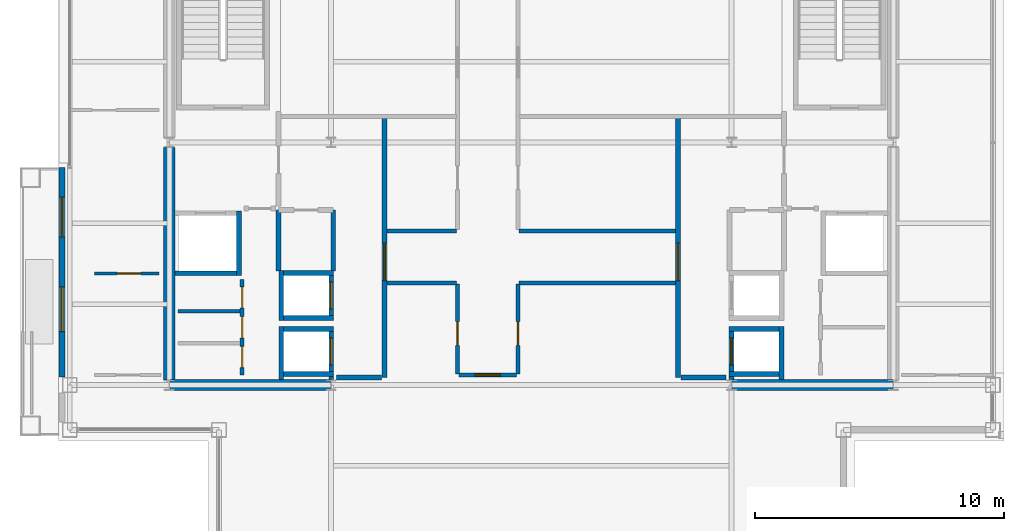
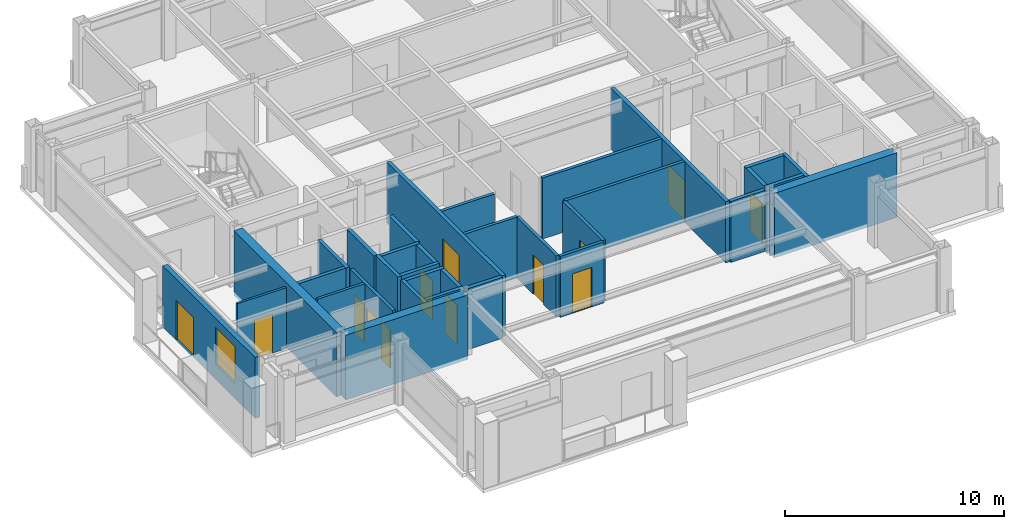
# One storey, part 20 of 24: 34 walls, 13 doors, 1 window, 14 openings.
"""IFC4 building model written with IfcOpenShell, lengths in metres."""

from ifc_helpers import new_model, si_unit, direction, frame, frame_2d, origin, place, context, subcontext, project, spatial, rectangle, extrude, material, layer, layer_set, type_object, element, fill, save


model = new_model("IFC4")

# Units and contexts
model_context = context("Model", 3, precision=1e-05, world=origin(), true_north=direction((0.0, 1.0)))
body_context = subcontext(model_context, "Body", "Model", "MODEL_VIEW")
ifc_project = project(units=[si_unit("LENGTHUNIT", "METRE"), si_unit("AREAUNIT", "SQUARE_METRE"), si_unit("VOLUMEUNIT", "CUBIC_METRE"), si_unit("PLANEANGLEUNIT", "RADIAN"), si_unit("MASSUNIT", "GRAM", prefix="KILO")], contexts=[model_context])

# Site, building, storey
site_placement = place(None, origin())
site = spatial("IfcSite", under=ifc_project, at=site_placement, CompositionType="ELEMENT")
building_placement = place(site_placement, origin())
building = spatial("IfcBuilding", under=site, at=building_placement, Name="Brelmoor Portico Tower", CompositionType="ELEMENT")
storey_placement = place(building_placement, frame((0.0, 0.0, 261.60009765625)))
storey = spatial("IfcBuildingStorey", under=building, at=storey_placement, Name="L69", CompositionType="ELEMENT", Elevation=261.60009765625)

# Walls
ifc_material_1 = material(Name="Concrete C50", Category="concrete")
ifc_layer_1 = layer(ifc_material_1, 0.449951171875)
ifc_layer_set_1 = layer_set([ifc_layer_1], Name="Concrete C50")
wall_type_1 = type_object("IfcWallType", Name="WL-CORE-450", PredefinedType="SHEAR", material=ifc_layer_set_1)
wall_1_placement = place(storey_placement, frame((-14.530029296875, -9.75, -0.2001953125), z_axis=(0.0, 0.0, 1.0), x_axis=(1.0, 0.0, 0.0)))
element("IfcWall", 1, at=wall_1_placement, inside=storey, type_object=wall_type_1, Name="L69 WC South Shear Wall", PredefinedType="SHEAR", context=body_context, shape_type="SweptSolid", body=[
    extrude(rectangle(XDim=6.4599609375, YDim=0.449951171875, at=frame_2d((3.22998046875, 0.0))), origin(), (0.0, 0.0, 1.0), 3.60009765625),
])
wall_2_placement = place(storey_placement, frame((-14.550048828125, -9.550048828125, -0.2001953125), z_axis=(0.0, 0.0, 1.0), x_axis=(0.0, 1.0, 0.0)))
element("IfcWall", 2, at=wall_2_placement, inside=storey, type_object=wall_type_1, Name="L69 WC Outer South Shear Wall", PredefinedType="SHEAR", context=body_context, shape_type="SweptSolid", body=[
    extrude(rectangle(XDim=9.35009765625, YDim=0.449951171875, at=frame_2d((4.675048828125, 0.0))), origin(), (0.0, 0.0, 1.0), 3.60009765625),
])
wall_3_placement = place(storey_placement, frame((8.070068359375, -9.75, -0.2001953125), z_axis=(0.0, 0.0, 1.0), x_axis=(1.0, 0.0, 0.0)))
element("IfcWall", 3, at=wall_3_placement, inside=storey, type_object=wall_type_1, Name="L69 EC South Shear Wall", PredefinedType="SHEAR", context=body_context, shape_type="SweptSolid", body=[
    extrude(rectangle(XDim=6.4599609375, YDim=0.449951171875, at=frame_2d((3.22998046875, 0.0))), origin(), (0.0, 0.0, 1.0), 3.60009765625),
])

# Wall, openings, door, window
ifc_material_2 = material(Name="Precast Concrete C40 Insulated Facade Wall", Category="concrete")
ifc_layer_2 = layer(ifc_material_2, 0.25)
ifc_layer_set_2 = layer_set([ifc_layer_2], Name="Precast Concrete C40 Insulated Facade Wall")
wall_type_2 = type_object("IfcWallType", Name="WL-EXT-250", PredefinedType="STANDARD", material=ifc_layer_set_2)
wall_4_placement = place(storey_placement, frame((-18.860107421875, -9.429931640625, 0.0), z_axis=(0.0, 0.0, 1.0), x_axis=(0.0, 1.0, 0.0)))
wall_4 = element("IfcWall", 4, at=wall_4_placement, inside=storey, type_object=wall_type_2, Name="L69 Loggia Threshold Wall W-2", PredefinedType="STANDARD", context=body_context, shape_type="SweptSolid", body=[
    extrude(rectangle(XDim=8.429931640625, YDim=0.25, at=frame_2d((4.21484375, 0.0))), origin(), (0.0, 0.0, 1.0), 3.39990234375),
])
opening_1_placement = place(wall_4_placement, frame((5.6298828125, 0.0, 0.0)))
opening_1 = element("IfcOpeningElement", 5, at=opening_1_placement, cuts=wall_4, Name="Opening D-TB1", PredefinedType="OPENING", context=body_context, shape_type="SweptSolid", body=[
    extrude(rectangle(XDim=1.60009765625, YDim=2.199951171875, at=frame_2d((0.800048828125, 1.10009765625))), frame((0.0, 0.135009765625, 0.0), z_axis=(0.0, -1.0, 0.0), x_axis=(1.0, 0.0, 0.0)), (0.0, 0.0, 1.0), 0.27001953125),
])
opening_2_placement = place(wall_4_placement, frame((1.830078125, 0.0, 0.85009765625)))
opening_2 = element("IfcOpeningElement", 6, at=opening_2_placement, cuts=wall_4, Name="Opening W-03C", PredefinedType="OPENING", context=body_context, shape_type="SweptSolid", body=[
    extrude(rectangle(XDim=1.800048828125, YDim=2.050048828125, at=frame_2d((0.89990234375, 1.02490234375))), frame((0.0, 0.135009765625, 0.0), z_axis=(0.0, -1.0, 0.0), x_axis=(1.0, 0.0, 0.0)), (0.0, 0.0, 1.0), 0.27001953125),
])
ifc_material_3 = material(Name="Double-Leaf Thermally Broken Terrace Door", Category="aluminium")
door_type_1 = type_object("IfcDoorType", Name="DR-BALCONY-1600", OperationType="NOTDEFINED", PredefinedType="DOOR", material=ifc_material_3)
door_1_placement = place(opening_1_placement, origin())
door_1 = element("IfcDoor", 7, at=door_1_placement, inside=storey, type_object=door_type_1, Name="D-2852 L69 Tree Balcony Double Door W", OperationType="DOUBLE_DOOR_SINGLE_SWING", OverallHeight=2.199951171875, OverallWidth=1.60009765625, PredefinedType="DOOR", context=body_context, shape_type="SweptSolid", body=[
    extrude(rectangle(XDim=1.60009765625, YDim=2.199951171875, at=frame_2d((0.800048828125, 1.10009765625))), frame((0.0, 0.02490234375, 0.0), z_axis=(0.0, -1.0, 0.0), x_axis=(1.0, 0.0, 0.0)), (0.0, 0.0, 1.0), 0.050048828125),
])
fill(opening_1, door_1)
ifc_material_4 = material(Name="Thermally Broken Aluminium Low-E Window", Category="aluminium")
window_type = type_object("IfcWindowType", Name="WN-LOGGIA-1800x2050", PartitioningType="SINGLE_PANEL", PredefinedType="WINDOW", material=ifc_material_4)
window_placement = place(opening_2_placement, origin())
window = element("IfcWindow", 8, at=window_placement, inside=storey, type_object=window_type, Name="L69 Loggia Window W", OverallHeight=2.050048828125, OverallWidth=1.800048828125, PartitioningType="SINGLE_PANEL", PredefinedType="WINDOW", context=body_context, shape_type="SweptSolid", body=[
    extrude(rectangle(XDim=1.800048828125, YDim=2.050048828125, at=frame_2d((0.89990234375, 1.02490234375))), frame((0.0, 0.030029296875, 0.0), z_axis=(0.0, -1.0, 0.0), x_axis=(1.0, 0.0, 0.0)), (0.0, 0.0, 1.0), 0.06005859375),
])
fill(opening_2, window)

# Wall, opening, door
ifc_material_5 = material(Name="Lightweight Gypsum Office Partition", Category="gypsum")
ifc_layer_3 = layer(ifc_material_5, 0.1201171875)
ifc_layer_set_3 = layer_set([ifc_layer_3], Name="Lightweight Gypsum Office Partition")
wall_type_3 = type_object("IfcWallType", Name="WL-PART-120", PredefinedType="PARTITIONING", material=ifc_layer_set_3)
wall_5_placement = place(storey_placement, frame((-17.550048828125, -5.27001953125, 0.0), z_axis=(0.0, 0.0, 1.0), x_axis=(1.0, 0.0, 0.0)))
wall_5 = element("IfcWall", 9, at=wall_5_placement, inside=storey, type_object=wall_type_3, Name="L69 W Wing Partition 1", PredefinedType="PARTITIONING", context=body_context, shape_type="SweptSolid", body=[
    extrude(rectangle(XDim=2.590087890625, YDim=0.1201171875, at=frame_2d((1.294921875, 0.0))), origin(), (0.0, 0.0, 1.0), 3.39990234375),
])
opening_3_placement = place(wall_5_placement, frame((0.89990234375, 0.0, 0.0)))
opening_3 = element("IfcOpeningElement", 10, at=opening_3_placement, cuts=wall_5, Name="Opening D-IN2", PredefinedType="OPENING", context=body_context, shape_type="SweptSolid", body=[
    extrude(rectangle(XDim=0.9599609375, YDim=2.179931640625, at=frame_2d((0.47998046875, 1.08984375))), frame((0.0, 0.070068359375, 0.0), z_axis=(0.0, -1.0, 0.0), x_axis=(1.0, 0.0, 0.0)), (0.0, 0.0, 1.0), 0.14013671875),
])
ifc_material_6 = material(Name="Lacquered Timber Suite Door", Category="wood")
door_type_2 = type_object("IfcDoorType", Name="DR-INT-950", OperationType="NOTDEFINED", PredefinedType="DOOR", material=ifc_material_6)
door_2_placement = place(opening_3_placement, origin())
door_2 = element("IfcDoor", 11, at=door_2_placement, inside=storey, type_object=door_type_2, Name="D-2853 L69 W Wing Suite Connecting Door 1", OperationType="SINGLE_SWING_RIGHT", OverallHeight=2.179931640625, OverallWidth=0.9599609375, PredefinedType="DOOR", context=body_context, shape_type="SweptSolid", body=[
    extrude(rectangle(XDim=0.9599609375, YDim=2.179931640625, at=frame_2d((0.47998046875, 1.08984375))), frame((0.0, 0.02490234375, 0.0), z_axis=(0.0, -1.0, 0.0), x_axis=(1.0, 0.0, 0.0)), (0.0, 0.0, 1.0), 0.050048828125),
])
fill(opening_3, door_2)

# Wall
ifc_material_7 = material(Name="Insulated Stud Suite Partition", Category="gypsum")
ifc_layer_4 = layer(ifc_material_7, 0.139892578125)
ifc_layer_set_4 = layer_set([ifc_layer_4], Name="Insulated Stud Suite Partition")
wall_type_4 = type_object("IfcWallType", Name="WL-PART-140", PredefinedType="PARTITIONING", material=ifc_layer_set_4)
wall_6_placement = place(storey_placement, frame((-11.699951171875, -6.783203125, 0.0), z_axis=(0.0, 0.0, 1.0), x_axis=(-1.0, 0.0, 0.0)))
element("IfcWall", 12, at=wall_6_placement, inside=storey, type_object=wall_type_4, Name="L69 W Core WC Divider 2", PredefinedType="PARTITIONING", context=body_context, shape_type="SweptSolid", body=[
    extrude(rectangle(XDim=2.5, YDim=0.139892578125, at=frame_2d((1.25, 0.0))), origin(), (0.0, 0.0, 1.0), 3.39990234375),
])

# Wall, openings, doors
ifc_material_8 = material(Name="Twin-Frame Acoustic Partition", Category="gypsum")
ifc_layer_5 = layer(ifc_material_8, 0.159912109375)
ifc_layer_set_5 = layer_set([ifc_layer_5], Name="Twin-Frame Acoustic Partition")
wall_type_5 = type_object("IfcWallType", Name="WL-PART-160", PredefinedType="PARTITIONING", material=ifc_layer_set_5)
wall_7_placement = place(storey_placement, frame((-11.6201171875, -9.35009765625, 0.0), z_axis=(0.0, 0.0, 1.0), x_axis=(0.0, 1.0, 0.0)))
wall_7 = element("IfcWall", 13, at=wall_7_placement, inside=storey, type_object=wall_type_5, Name="L69 W Core Service Front Wall", PredefinedType="PARTITIONING", context=body_context, shape_type="SweptSolid", body=[
    extrude(rectangle(XDim=3.85009765625, YDim=0.159912109375, at=frame_2d((1.925048828125, 0.0))), origin(), (0.0, 0.0, 1.0), 3.39990234375),
])
opening_4_placement = place(wall_7_placement, frame((0.300048828125, 0.0, 0.0)))
opening_4 = element("IfcOpeningElement", 14, at=opening_4_placement, cuts=wall_7, Name="Opening D-WC1", PredefinedType="OPENING", context=body_context, shape_type="SweptSolid", body=[
    extrude(rectangle(XDim=0.85009765625, YDim=2.1201171875, at=frame_2d((0.425048828125, 1.06005859375))), frame((0.0, 0.08984375, 0.0), z_axis=(0.0, -1.0, 0.0), x_axis=(1.0, 0.0, 0.0)), (0.0, 0.0, 1.0), 0.179931640625),
])
opening_5_placement = place(wall_7_placement, frame((1.5, 0.0, 0.0)))
opening_5 = element("IfcOpeningElement", 15, at=opening_5_placement, cuts=wall_7, Name="Opening D-WC1", PredefinedType="OPENING", context=body_context, shape_type="SweptSolid", body=[
    extrude(rectangle(XDim=0.85009765625, YDim=2.1201171875, at=frame_2d((0.425048828125, 1.06005859375))), frame((0.0, 0.08984375, 0.0), z_axis=(0.0, -1.0, 0.0), x_axis=(1.0, 0.0, 0.0)), (0.0, 0.0, 1.0), 0.179931640625),
])
opening_6_placement = place(wall_7_placement, frame((2.699951171875, 0.0, 0.0)))
opening_6 = element("IfcOpeningElement", 16, at=opening_6_placement, cuts=wall_7, Name="Opening D-WC1", PredefinedType="OPENING", context=body_context, shape_type="SweptSolid", body=[
    extrude(rectangle(XDim=0.85009765625, YDim=2.1201171875, at=frame_2d((0.425048828125, 1.06005859375))), frame((0.0, 0.08984375, 0.0), z_axis=(0.0, -1.0, 0.0), x_axis=(1.0, 0.0, 0.0)), (0.0, 0.0, 1.0), 0.179931640625),
])
ifc_material_9 = material(Name="Moisture-Resistant Laminate WC Door", Category="timber")
door_type_3 = type_object("IfcDoorType", Name="DR-WC-850", OperationType="NOTDEFINED", PredefinedType="DOOR", material=ifc_material_9)
door_3_placement = place(opening_4_placement, origin())
door_3 = element("IfcDoor", 17, at=door_3_placement, inside=storey, type_object=door_type_3, Name="D-2830 L69 W Accessible WC Door", OperationType="SINGLE_SWING_RIGHT", OverallHeight=2.1201171875, OverallWidth=0.85009765625, PredefinedType="DOOR", context=body_context, shape_type="SweptSolid", body=[
    extrude(rectangle(XDim=0.85009765625, YDim=2.1201171875, at=frame_2d((0.425048828125, 1.06005859375))), frame((0.0, 0.02490234375, 0.0), z_axis=(0.0, -1.0, 0.0), x_axis=(1.0, 0.0, 0.0)), (0.0, 0.0, 1.0), 0.050048828125),
])
fill(opening_4, door_3)
door_4_placement = place(opening_5_placement, origin())
door_4 = element("IfcDoor", 18, at=door_4_placement, inside=storey, type_object=door_type_3, Name="D-2831 L69 W Staff WC Door", OperationType="SINGLE_SWING_LEFT", OverallHeight=2.1201171875, OverallWidth=0.85009765625, PredefinedType="DOOR", context=body_context, shape_type="SweptSolid", body=[
    extrude(rectangle(XDim=0.85009765625, YDim=2.1201171875, at=frame_2d((0.425048828125, 1.06005859375))), frame((0.0, 0.02490234375, 0.0), z_axis=(0.0, -1.0, 0.0), x_axis=(1.0, 0.0, 0.0)), (0.0, 0.0, 1.0), 0.050048828125),
])
fill(opening_5, door_4)
door_5_placement = place(opening_6_placement, origin())
door_5 = element("IfcDoor", 19, at=door_5_placement, inside=storey, type_object=door_type_3, Name="D-2832 L69 W Cleaner Store Door", OperationType="SINGLE_SWING_RIGHT", OverallHeight=2.1201171875, OverallWidth=0.85009765625, PredefinedType="DOOR", context=body_context, shape_type="SweptSolid", body=[
    extrude(rectangle(XDim=0.85009765625, YDim=2.1201171875, at=frame_2d((0.425048828125, 1.06005859375))), frame((0.0, 0.02490234375, 0.0), z_axis=(0.0, -1.0, 0.0), x_axis=(1.0, 0.0, 0.0)), (0.0, 0.0, 1.0), 0.050048828125),
])
fill(opening_6, door_5)

# Walls
wall_8_placement = place(storey_placement, frame((-5.800048828125, -3.550048828125, 0.0), z_axis=(0.0, 0.0, 1.0), x_axis=(1.0, 0.0, 0.0)))
element("IfcWall", 20, at=wall_8_placement, inside=storey, type_object=wall_type_5, Name="L69 West Pantry South Wall", PredefinedType="PARTITIONING", context=body_context, shape_type="SweptSolid", body=[
    extrude(rectangle(XDim=2.7900390625, YDim=0.159912109375, at=frame_2d((1.39501953125, 0.0))), origin(), (0.0, 0.0, 1.0), 3.39990234375),
])
wall_9_placement = place(storey_placement, frame((-0.489990234375, -3.550048828125, 0.0), z_axis=(0.0, 0.0, 1.0), x_axis=(1.0, 0.0, 0.0)))
element("IfcWall", 21, at=wall_9_placement, inside=storey, type_object=wall_type_5, Name="L69 East Office South Wall", PredefinedType="PARTITIONING", context=body_context, shape_type="SweptSolid", body=[
    extrude(rectangle(XDim=6.2900390625, YDim=0.159912109375, at=frame_2d((3.14501953125, 0.0))), origin(), (0.0, 0.0, 1.0), 3.39990234375),
])

# Wall, opening, door
wall_10_placement = place(storey_placement, frame((-2.969970703125, -9.31005859375, 0.0), z_axis=(0.0, 0.0, 1.0), x_axis=(0.0, 1.0, 0.0)))
wall_10 = element("IfcWall", 22, at=wall_10_placement, inside=storey, type_object=wall_type_5, Name="L69 South Cross West Wall", PredefinedType="PARTITIONING", context=body_context, shape_type="SweptSolid", body=[
    extrude(rectangle(XDim=3.630126953125, YDim=0.159912109375, at=frame_2d((1.81494140625, 0.0))), origin(), (0.0, 0.0, 1.0), 3.39990234375),
])
opening_7_placement = place(wall_10_placement, frame((1.14990234375, 0.0, 0.0)))
opening_7 = element("IfcOpeningElement", 23, at=opening_7_placement, cuts=wall_10, Name="Opening D-IN2", PredefinedType="OPENING", context=body_context, shape_type="SweptSolid", body=[
    extrude(rectangle(XDim=0.9599609375, YDim=2.179931640625, at=frame_2d((0.47998046875, 1.08984375))), frame((0.0, 0.08984375, 0.0), z_axis=(0.0, -1.0, 0.0), x_axis=(1.0, 0.0, 0.0)), (0.0, 0.0, 1.0), 0.179931640625),
])
door_6_placement = place(opening_7_placement, origin())
door_6 = element("IfcDoor", 24, at=door_6_placement, inside=storey, type_object=door_type_2, Name="D-2823 L69 South-West Archive Room Door", OperationType="SINGLE_SWING_RIGHT", OverallHeight=2.179931640625, OverallWidth=0.9599609375, PredefinedType="DOOR", context=body_context, shape_type="SweptSolid", body=[
    extrude(rectangle(XDim=0.9599609375, YDim=2.179931640625, at=frame_2d((0.47998046875, 1.08984375))), frame((0.0, 0.02490234375, 0.0), z_axis=(0.0, -1.0, 0.0), x_axis=(1.0, 0.0, 0.0)), (0.0, 0.0, 1.0), 0.050048828125),
])
fill(opening_7, door_6)

wall_11_placement = place(storey_placement, frame((-0.530029296875, -9.31005859375, 0.0), z_axis=(0.0, 0.0, 1.0), x_axis=(0.0, 1.0, 0.0)))
wall_11 = element("IfcWall", 25, at=wall_11_placement, inside=storey, type_object=wall_type_5, Name="L69 South Cross East Wall", PredefinedType="PARTITIONING", context=body_context, shape_type="SweptSolid", body=[
    extrude(rectangle(XDim=3.630126953125, YDim=0.159912109375, at=frame_2d((1.81494140625, 0.0))), origin(), (0.0, 0.0, 1.0), 3.39990234375),
])
opening_8_placement = place(wall_11_placement, frame((1.14990234375, 0.0, 0.0)))
opening_8 = element("IfcOpeningElement", 26, at=opening_8_placement, cuts=wall_11, Name="Opening D-IN2", PredefinedType="OPENING", context=body_context, shape_type="SweptSolid", body=[
    extrude(rectangle(XDim=0.9599609375, YDim=2.179931640625, at=frame_2d((0.47998046875, 1.08984375))), frame((0.0, 0.08984375, 0.0), z_axis=(0.0, -1.0, 0.0), x_axis=(1.0, 0.0, 0.0)), (0.0, 0.0, 1.0), 0.179931640625),
])
door_7_placement = place(opening_8_placement, origin())
door_7 = element("IfcDoor", 27, at=door_7_placement, inside=storey, type_object=door_type_2, Name="D-2822 L69 South-East Partner Office Door", OperationType="SINGLE_SWING_LEFT", OverallHeight=2.179931640625, OverallWidth=0.9599609375, PredefinedType="DOOR", context=body_context, shape_type="SweptSolid", body=[
    extrude(rectangle(XDim=0.9599609375, YDim=2.179931640625, at=frame_2d((0.47998046875, 1.08984375))), frame((0.0, 0.02490234375, 0.0), z_axis=(0.0, -1.0, 0.0), x_axis=(1.0, 0.0, 0.0)), (0.0, 0.0, 1.0), 0.050048828125),
])
fill(opening_8, door_7)

# Walls
wall_12_placement = place(storey_placement, frame((-5.800048828125, -5.64990234375, 0.0), z_axis=(0.0, 0.0, 1.0), x_axis=(1.0, 0.0, 0.0)))
element("IfcWall", 28, at=wall_12_placement, inside=storey, type_object=wall_type_5, Name="L69 South-West Chamber Top Wall", PredefinedType="PARTITIONING", context=body_context, shape_type="SweptSolid", body=[
    extrude(rectangle(XDim=2.7900390625, YDim=0.159912109375, at=frame_2d((1.39501953125, 0.0))), origin(), (0.0, 0.0, 1.0), 3.39990234375),
])
wall_13_placement = place(storey_placement, frame((-0.489990234375, -5.64990234375, 0.0), z_axis=(0.0, 0.0, 1.0), x_axis=(1.0, 0.0, 0.0)))
element("IfcWall", 29, at=wall_13_placement, inside=storey, type_object=wall_type_5, Name="L69 South-East Chamber Top Wall", PredefinedType="PARTITIONING", context=body_context, shape_type="SweptSolid", body=[
    extrude(rectangle(XDim=6.2900390625, YDim=0.159912109375, at=frame_2d((3.14501953125, 0.0))), origin(), (0.0, 0.0, 1.0), 3.39990234375),
])

# Wall, opening, door
wall_14_placement = place(storey_placement, frame((-2.89990234375, -9.35009765625, 0.0), z_axis=(0.0, 0.0, 1.0), x_axis=(1.0, 0.0, 0.0)))
wall_14 = element("IfcWall", 30, at=wall_14_placement, inside=storey, type_object=wall_type_5, Name="L69 South Corridor Partition", PredefinedType="PARTITIONING", context=body_context, shape_type="SweptSolid", body=[
    extrude(rectangle(XDim=2.2998046875, YDim=0.159912109375, at=frame_2d((1.14990234375, 0.0))), origin(), (0.0, 0.0, 1.0), 3.39990234375),
])
opening_9_placement = place(wall_14_placement, frame((0.639892578125, 0.0, 0.0)))
opening_9 = element("IfcOpeningElement", 31, at=opening_9_placement, cuts=wall_14, Name="Opening D-OF1", PredefinedType="OPENING", context=body_context, shape_type="SweptSolid", body=[
    extrude(rectangle(XDim=1.02001953125, YDim=2.199951171875, at=frame_2d((0.510009765625, 1.10009765625))), frame((0.0, 0.08984375, 0.0), z_axis=(0.0, -1.0, 0.0), x_axis=(1.0, 0.0, 0.0)), (0.0, 0.0, 1.0), 0.179931640625),
])
ifc_material_10 = material(Name="Hardwood Acoustic Veneer Door", Category="wood")
door_type_4 = type_object("IfcDoorType", Name="DR-OFFICE-1000", OperationType="NOTDEFINED", PredefinedType="DOOR", material=ifc_material_10)
door_8_placement = place(opening_9_placement, origin())
door_8 = element("IfcDoor", 32, at=door_8_placement, inside=storey, type_object=door_type_4, Name="D-2846 L69 South Executive Reception Room 1 Door", OperationType="SINGLE_SWING_LEFT", OverallHeight=2.199951171875, OverallWidth=1.02001953125, PredefinedType="DOOR", context=body_context, shape_type="SweptSolid", body=[
    extrude(rectangle(XDim=1.02001953125, YDim=2.199951171875, at=frame_2d((0.510009765625, 1.10009765625))), frame((0.0, 0.02490234375, 0.0), z_axis=(0.0, -1.0, 0.0), x_axis=(1.0, 0.0, 0.0)), (0.0, 0.0, 1.0), 0.050048828125),
])
fill(opening_9, door_8)

ifc_material_11 = material(Name="Double-Stud Gypsum Fire Partition", Category="gypsum")
ifc_layer_6 = layer(ifc_material_11, 0.199951171875)
ifc_layer_set_6 = layer_set([ifc_layer_6], Name="Double-Stud Gypsum Fire Partition")
wall_type_6 = type_object("IfcWallType", Name="WL-PART-200", PredefinedType="PARTITIONING", material=ifc_layer_set_6)
wall_15_placement = place(storey_placement, frame((-5.89990234375, -9.449951171875, 0.0), z_axis=(0.0, 0.0, 1.0), x_axis=(0.0, 1.0, 0.0)))
wall_15 = element("IfcWall", 33, at=wall_15_placement, inside=storey, type_object=wall_type_6, Name="L69 W Core Lobby Compartment Wall", PredefinedType="PARTITIONING", context=body_context, shape_type="SweptSolid", body=[
    extrude(rectangle(XDim=10.5, YDim=0.199951171875, at=frame_2d((5.25, 0.0))), origin(), (0.0, 0.0, 1.0), 3.39990234375),
])
opening_10_placement = place(wall_15_placement, frame((3.89990234375, 0.0, 0.0)))
opening_10 = element("IfcOpeningElement", 34, at=opening_10_placement, cuts=wall_15, Name="Opening D-LB1", PredefinedType="OPENING", context=body_context, shape_type="SweptSolid", body=[
    extrude(rectangle(XDim=1.5, YDim=2.199951171875, at=frame_2d((0.75, 1.10009765625))), frame((0.0, 0.10986328125, 0.0), z_axis=(0.0, -1.0, 0.0), x_axis=(1.0, 0.0, 0.0)), (0.0, 0.0, 1.0), 0.219970703125),
])
ifc_material_12 = material(Name="Double-Leaf Glazed Steel Fire Door", Category="steel")
door_type_5 = type_object("IfcDoorType", Name="DR-LOBBY-1500", OperationType="NOTDEFINED", PredefinedType="DOOR", material=ifc_material_12)
door_9_placement = place(opening_10_placement, origin())
door_9 = element("IfcDoor", 35, at=door_9_placement, inside=storey, type_object=door_type_5, Name="D-2838 L69 W Lift Lobby Main Door", OperationType="DOUBLE_DOOR_SINGLE_SWING", OverallHeight=2.199951171875, OverallWidth=1.5, PredefinedType="DOOR", context=body_context, shape_type="SweptSolid", body=[
    extrude(rectangle(XDim=1.5, YDim=2.199951171875, at=frame_2d((0.75, 1.10009765625))), frame((0.0, 0.02490234375, 0.0), z_axis=(0.0, -1.0, 0.0), x_axis=(1.0, 0.0, 0.0)), (0.0, 0.0, 1.0), 0.050048828125),
])
fill(opening_10, door_9)

# Walls
wall_16_placement = place(storey_placement, frame((-6.02001953125, -9.449951171875, 0.0), z_axis=(0.0, 0.0, 1.0), x_axis=(-1.0, 0.0, 0.0)))
element("IfcWall", 36, at=wall_16_placement, inside=storey, type_object=wall_type_6, Name="L69 W Lift Lobby South End Wall", PredefinedType="PARTITIONING", context=body_context, shape_type="SweptSolid", body=[
    extrude(rectangle(XDim=1.800048828125, YDim=0.199951171875, at=frame_2d((0.89990234375, 0.0))), origin(), (0.0, 0.0, 1.0), 3.39990234375),
])
for number, where, z_axis, x_axis, name in (
    (37, (-7.9599609375, -5.159912109375, 0.0), (0.0, 0.0, 1.0), (0.0, 1.0, 0.0), "L69 W Electrical Switchgear Closet Inner Wall"),
    (38, (-10.159912109375, -5.159912109375, 0.0), (0.0, 0.0, 1.0), (0.0, 1.0, 0.0), "L69 W Electrical Switchgear Closet Outer Wall"),
):
    element("IfcWall", number, at=place(storey_placement, frame(where, z_axis=z_axis, x_axis=x_axis)), inside=storey, type_object=wall_type_6, Name=name, PredefinedType="PARTITIONING", context=body_context, shape_type="SweptSolid", body=[
        extrude(rectangle(XDim=2.43994140625, YDim=0.199951171875, at=frame_2d((1.219970703125, 0.0))), origin(), (0.0, 0.0, 1.0), 3.39990234375),
    ])

# Wall, opening, door
wall_17_placement = place(storey_placement, frame((5.89990234375, -9.449951171875, 0.0), z_axis=(0.0, 0.0, 1.0), x_axis=(0.0, 1.0, 0.0)))
wall_17 = element("IfcWall", 39, at=wall_17_placement, inside=storey, type_object=wall_type_6, Name="L69 E Core Lobby Compartment Wall", PredefinedType="PARTITIONING", context=body_context, shape_type="SweptSolid", body=[
    extrude(rectangle(XDim=10.5, YDim=0.199951171875, at=frame_2d((5.25, 0.0))), origin(), (0.0, 0.0, 1.0), 3.39990234375),
])
opening_11_placement = place(wall_17_placement, frame((3.89990234375, 0.0, 0.0)))
opening_11 = element("IfcOpeningElement", 40, at=opening_11_placement, cuts=wall_17, Name="Opening D-LB1", PredefinedType="OPENING", context=body_context, shape_type="SweptSolid", body=[
    extrude(rectangle(XDim=1.5, YDim=2.199951171875, at=frame_2d((0.75, 1.10009765625))), frame((0.0, 0.10986328125, 0.0), z_axis=(0.0, -1.0, 0.0), x_axis=(1.0, 0.0, 0.0)), (0.0, 0.0, 1.0), 0.219970703125),
])
door_10_placement = place(opening_11_placement, origin())
door_10 = element("IfcDoor", 41, at=door_10_placement, inside=storey, type_object=door_type_5, Name="D-2837 L69 E Lift Lobby Main Door", OperationType="DOUBLE_DOOR_SINGLE_SWING", OverallHeight=2.199951171875, OverallWidth=1.5, PredefinedType="DOOR", context=body_context, shape_type="SweptSolid", body=[
    extrude(rectangle(XDim=1.5, YDim=2.199951171875, at=frame_2d((0.75, 1.10009765625))), frame((0.0, 0.02490234375, 0.0), z_axis=(0.0, -1.0, 0.0), x_axis=(1.0, 0.0, 0.0)), (0.0, 0.0, 1.0), 0.050048828125),
])
fill(opening_11, door_10)

# Wall
wall_18_placement = place(storey_placement, frame((6.02001953125, -9.449951171875, 0.0), z_axis=(0.0, 0.0, 1.0), x_axis=(1.0, 0.0, 0.0)))
element("IfcWall", 42, at=wall_18_placement, inside=storey, type_object=wall_type_6, Name="L69 E Lift Lobby South End Wall", PredefinedType="PARTITIONING", context=body_context, shape_type="SweptSolid", body=[
    extrude(rectangle(XDim=1.800048828125, YDim=0.199951171875, at=frame_2d((0.89990234375, 0.0))), origin(), (0.0, 0.0, 1.0), 3.39990234375),
])

# Wall, opening, door
ifc_material_13 = material(Name="Precast Concrete C40", Category="concrete")
ifc_layer_7 = layer(ifc_material_13, 0.18994140625)
ifc_layer_set_7 = layer_set([ifc_layer_7], Name="Precast Concrete C40")
wall_type_7 = type_object("IfcWallType", Name="WL-SHAFT-180", PredefinedType="SOLIDWALL", material=ifc_layer_set_7)
wall_19_placement = place(storey_placement, frame((-8.044921875, -9.52001953125, -0.2001953125), z_axis=(0.0, 0.0, 1.0), x_axis=(0.0, 1.0, 0.0)))
wall_19 = element("IfcWall", 43, at=wall_19_placement, inside=storey, type_object=wall_type_7, Name="L69 Lift PH1 Hoistway Front Wall", PredefinedType="SOLIDWALL", context=body_context, shape_type="SweptSolid", body=[
    extrude(rectangle(XDim=2.1201171875, YDim=0.18994140625, at=frame_2d((1.06005859375, 0.0))), origin(), (0.0, 0.0, 1.0), 3.60009765625),
])
opening_12_placement = place(wall_19_placement, frame((0.570068359375, 0.0, 0.199951171875)))
opening_12 = element("IfcOpeningElement", 44, at=opening_12_placement, cuts=wall_19, Name="Opening LD-01", PredefinedType="OPENING", context=body_context, shape_type="SweptSolid", body=[
    extrude(rectangle(XDim=1.10009765625, YDim=2.199951171875, at=frame_2d((0.550048828125, 1.10009765625))), frame((0.0, 0.10498046875, 0.0), z_axis=(0.0, -1.0, 0.0), x_axis=(1.0, 0.0, 0.0)), (0.0, 0.0, 1.0), 0.2099609375),
])
ifc_material_14 = material(Name="Brushed Stainless Steel Sliding Lift Door", Category="steel")
door_type_6 = type_object("IfcDoorType", Name="DR-LIFT-1100", OperationType="NOTDEFINED", PredefinedType="DOOR", material=ifc_material_14)
door_11_placement = place(opening_12_placement, origin())
door_11 = element("IfcDoor", 45, at=door_11_placement, inside=storey, type_object=door_type_6, Name="D-2857 L69 Lift PH1 Sliding Landing Door", OperationType="SLIDING_TO_LEFT", OverallHeight=2.199951171875, OverallWidth=1.10009765625, PredefinedType="DOOR", context=body_context, shape_type="SweptSolid", body=[
    extrude(rectangle(XDim=1.10009765625, YDim=2.199951171875, at=frame_2d((0.550048828125, 1.10009765625))), frame((0.0, 0.02490234375, 0.0), z_axis=(0.0, -1.0, 0.0), x_axis=(1.0, 0.0, 0.0)), (0.0, 0.0, 1.0), 0.050048828125),
])
fill(opening_12, door_11)

# Walls
wall_20_placement = place(storey_placement, frame((-10.054931640625, -9.52001953125, -0.2001953125), z_axis=(0.0, 0.0, 1.0), x_axis=(0.0, 1.0, 0.0)))
element("IfcWall", 46, at=wall_20_placement, inside=storey, type_object=wall_type_7, Name="L69 Lift PH1 Hoistway Back Wall", PredefinedType="SOLIDWALL", context=body_context, shape_type="SweptSolid", body=[
    extrude(rectangle(XDim=2.1201171875, YDim=0.18994140625, at=frame_2d((1.06005859375, 0.0))), origin(), (0.0, 0.0, 1.0), 3.60009765625),
])
for number, where, z_axis, x_axis, name in (
    (47, (-10.14990234375, -7.4951171875, -0.2001953125), (0.0, 0.0, 1.0), (1.0, 0.0, 0.0), "L69 Lift PH1 Hoistway North Wall"),
    (48, (-10.14990234375, -9.304931640625, -0.2001953125), (0.0, 0.0, 1.0), (1.0, 0.0, 0.0), "L69 Lift PH1 Hoistway South Wall"),
):
    element("IfcWall", number, at=place(storey_placement, frame(where, z_axis=z_axis, x_axis=x_axis)), inside=storey, type_object=wall_type_7, Name=name, PredefinedType="SOLIDWALL", context=body_context, shape_type="SweptSolid", body=[
        extrude(rectangle(XDim=2.199951171875, YDim=0.18994140625, at=frame_2d((1.10009765625, 0.0))), origin(), (0.0, 0.0, 1.0), 3.60009765625),
    ])

# Wall, opening, door
wall_21_placement = place(storey_placement, frame((-8.044921875, -7.14990234375, -0.2001953125), z_axis=(0.0, 0.0, 1.0), x_axis=(0.0, 1.0, 0.0)))
wall_21 = element("IfcWall", 49, at=wall_21_placement, inside=storey, type_object=wall_type_7, Name="L69 Lift PH2 Hoistway Front Wall", PredefinedType="SOLIDWALL", context=body_context, shape_type="SweptSolid", body=[
    extrude(rectangle(XDim=2.0, YDim=0.18994140625, at=frame_2d((1.0, 0.0))), origin(), (0.0, 0.0, 1.0), 3.60009765625),
])
opening_13_placement = place(wall_21_placement, frame((0.449951171875, 0.0, 0.199951171875)))
opening_13 = element("IfcOpeningElement", 50, at=opening_13_placement, cuts=wall_21, Name="Opening LD-01", PredefinedType="OPENING", context=body_context, shape_type="SweptSolid", body=[
    extrude(rectangle(XDim=1.10009765625, YDim=2.199951171875, at=frame_2d((0.550048828125, 1.10009765625))), frame((0.0, 0.10498046875, 0.0), z_axis=(0.0, -1.0, 0.0), x_axis=(1.0, 0.0, 0.0)), (0.0, 0.0, 1.0), 0.2099609375),
])
door_12_placement = place(opening_13_placement, origin())
door_12 = element("IfcDoor", 51, at=door_12_placement, inside=storey, type_object=door_type_6, Name="D-2858 L69 Lift PH2 Sliding Landing Door", OperationType="SLIDING_TO_LEFT", OverallHeight=2.199951171875, OverallWidth=1.10009765625, PredefinedType="DOOR", context=body_context, shape_type="SweptSolid", body=[
    extrude(rectangle(XDim=1.10009765625, YDim=2.199951171875, at=frame_2d((0.550048828125, 1.10009765625))), frame((0.0, 0.02490234375, 0.0), z_axis=(0.0, -1.0, 0.0), x_axis=(1.0, 0.0, 0.0)), (0.0, 0.0, 1.0), 0.050048828125),
])
fill(opening_13, door_12)

# Walls
wall_22_placement = place(storey_placement, frame((-10.054931640625, -7.14990234375, -0.2001953125), z_axis=(0.0, 0.0, 1.0), x_axis=(0.0, 1.0, 0.0)))
element("IfcWall", 52, at=wall_22_placement, inside=storey, type_object=wall_type_7, Name="L69 Lift PH2 Hoistway Back Wall", PredefinedType="SOLIDWALL", context=body_context, shape_type="SweptSolid", body=[
    extrude(rectangle(XDim=2.0, YDim=0.18994140625, at=frame_2d((1.0, 0.0))), origin(), (0.0, 0.0, 1.0), 3.60009765625),
])
for number, where, z_axis, x_axis, name in (
    (53, (-10.14990234375, -5.2451171875, -0.2001953125), (0.0, 0.0, 1.0), (1.0, 0.0, 0.0), "L69 Lift PH2 Hoistway North Wall"),
    (54, (-10.14990234375, -7.054931640625, -0.2001953125), (0.0, 0.0, 1.0), (1.0, 0.0, 0.0), "L69 Lift PH2 Hoistway South Wall"),
):
    element("IfcWall", number, at=place(storey_placement, frame(where, z_axis=z_axis, x_axis=x_axis)), inside=storey, type_object=wall_type_7, Name=name, PredefinedType="SOLIDWALL", context=body_context, shape_type="SweptSolid", body=[
        extrude(rectangle(XDim=2.199951171875, YDim=0.18994140625, at=frame_2d((1.10009765625, 0.0))), origin(), (0.0, 0.0, 1.0), 3.60009765625),
    ])

# Wall, opening, door
wall_23_placement = place(storey_placement, frame((8.044921875, -9.52001953125, -0.2001953125), z_axis=(0.0, 0.0, 1.0), x_axis=(0.0, 1.0, 0.0)))
wall_23 = element("IfcWall", 55, at=wall_23_placement, inside=storey, type_object=wall_type_7, Name="L69 Lift PH3 Hoistway Front Wall", PredefinedType="SOLIDWALL", context=body_context, shape_type="SweptSolid", body=[
    extrude(rectangle(XDim=2.1201171875, YDim=0.18994140625, at=frame_2d((1.06005859375, 0.0))), origin(), (0.0, 0.0, 1.0), 3.60009765625),
])
opening_14_placement = place(wall_23_placement, frame((0.570068359375, 0.0, 0.199951171875)))
opening_14 = element("IfcOpeningElement", 56, at=opening_14_placement, cuts=wall_23, Name="Opening LD-01", PredefinedType="OPENING", context=body_context, shape_type="SweptSolid", body=[
    extrude(rectangle(XDim=1.10009765625, YDim=2.199951171875, at=frame_2d((0.550048828125, 1.10009765625))), frame((0.0, 0.10498046875, 0.0), z_axis=(0.0, -1.0, 0.0), x_axis=(1.0, 0.0, 0.0)), (0.0, 0.0, 1.0), 0.2099609375),
])
door_13_placement = place(opening_14_placement, origin())
door_13 = element("IfcDoor", 57, at=door_13_placement, inside=storey, type_object=door_type_6, Name="D-2859 L69 Lift PH3 Sliding Landing Door", OperationType="SLIDING_TO_LEFT", OverallHeight=2.199951171875, OverallWidth=1.10009765625, PredefinedType="DOOR", context=body_context, shape_type="SweptSolid", body=[
    extrude(rectangle(XDim=1.10009765625, YDim=2.199951171875, at=frame_2d((0.550048828125, 1.10009765625))), frame((0.0, 0.02490234375, 0.0), z_axis=(0.0, -1.0, 0.0), x_axis=(1.0, 0.0, 0.0)), (0.0, 0.0, 1.0), 0.050048828125),
])
fill(opening_14, door_13)

# Walls
wall_24_placement = place(storey_placement, frame((10.054931640625, -9.52001953125, -0.2001953125), z_axis=(0.0, 0.0, 1.0), x_axis=(0.0, 1.0, 0.0)))
element("IfcWall", 58, at=wall_24_placement, inside=storey, type_object=wall_type_7, Name="L69 Lift PH3 Hoistway Back Wall", PredefinedType="SOLIDWALL", context=body_context, shape_type="SweptSolid", body=[
    extrude(rectangle(XDim=2.1201171875, YDim=0.18994140625, at=frame_2d((1.06005859375, 0.0))), origin(), (0.0, 0.0, 1.0), 3.60009765625),
])
for number, where, z_axis, x_axis, name in (
    (59, (7.949951171875, -7.4951171875, -0.2001953125), (0.0, 0.0, 1.0), (1.0, 0.0, 0.0), "L69 Lift PH3 Hoistway North Wall"),
    (60, (7.949951171875, -9.304931640625, -0.2001953125), (0.0, 0.0, 1.0), (1.0, 0.0, 0.0), "L69 Lift PH3 Hoistway South Wall"),
):
    element("IfcWall", number, at=place(storey_placement, frame(where, z_axis=z_axis, x_axis=x_axis)), inside=storey, type_object=wall_type_7, Name=name, PredefinedType="SOLIDWALL", context=body_context, shape_type="SweptSolid", body=[
        extrude(rectangle(XDim=2.199951171875, YDim=0.18994140625, at=frame_2d((1.10009765625, 0.0))), origin(), (0.0, 0.0, 1.0), 3.60009765625),
    ])
wall_25_placement = place(storey_placement, frame((-14.330078125, -5.2548828125, -0.2001953125), z_axis=(0.0, 0.0, 1.0), x_axis=(1.0, 0.0, 0.0)))
element("IfcWall", 61, at=wall_25_placement, inside=storey, type_object=wall_type_7, Name="L69 Firefighting Lift FF1 South Wall", PredefinedType="SOLIDWALL", context=body_context, shape_type="SweptSolid", body=[
    extrude(rectangle(XDim=2.68017578125, YDim=0.18994140625, at=frame_2d((1.340087890625, 0.0))), origin(), (0.0, 0.0, 1.0), 3.60009765625),
])
wall_26_placement = place(storey_placement, frame((-11.7451171875, -5.35009765625, -0.2001953125), z_axis=(0.0, 0.0, 1.0), x_axis=(0.0, 1.0, 0.0)))
element("IfcWall", 62, at=wall_26_placement, inside=storey, type_object=wall_type_7, Name="L69 Firefighting Lift FF1 Inner Wall", PredefinedType="SOLIDWALL", context=body_context, shape_type="SweptSolid", body=[
    extrude(rectangle(XDim=2.60009765625, YDim=0.18994140625, at=frame_2d((1.300048828125, 0.0))), origin(), (0.0, 0.0, 1.0), 3.60009765625),
])

save(model, "model.ifc")
